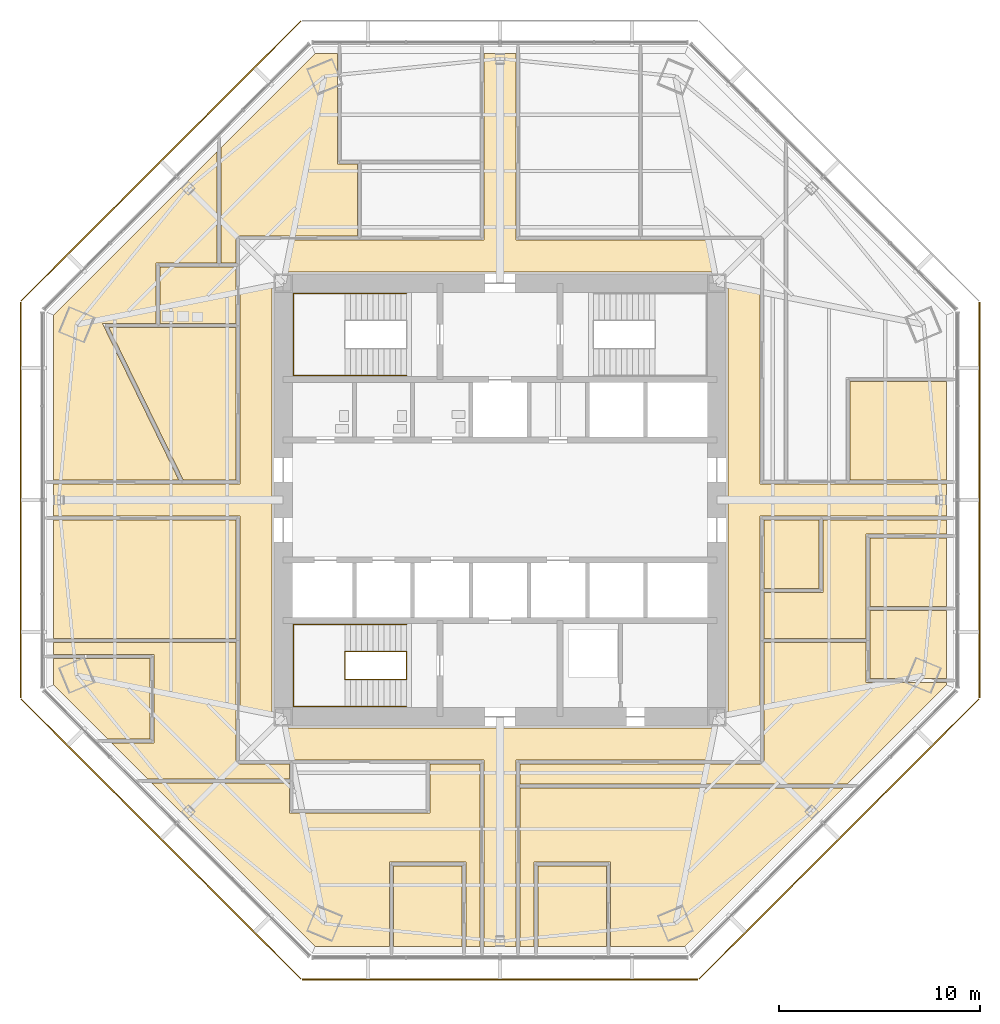
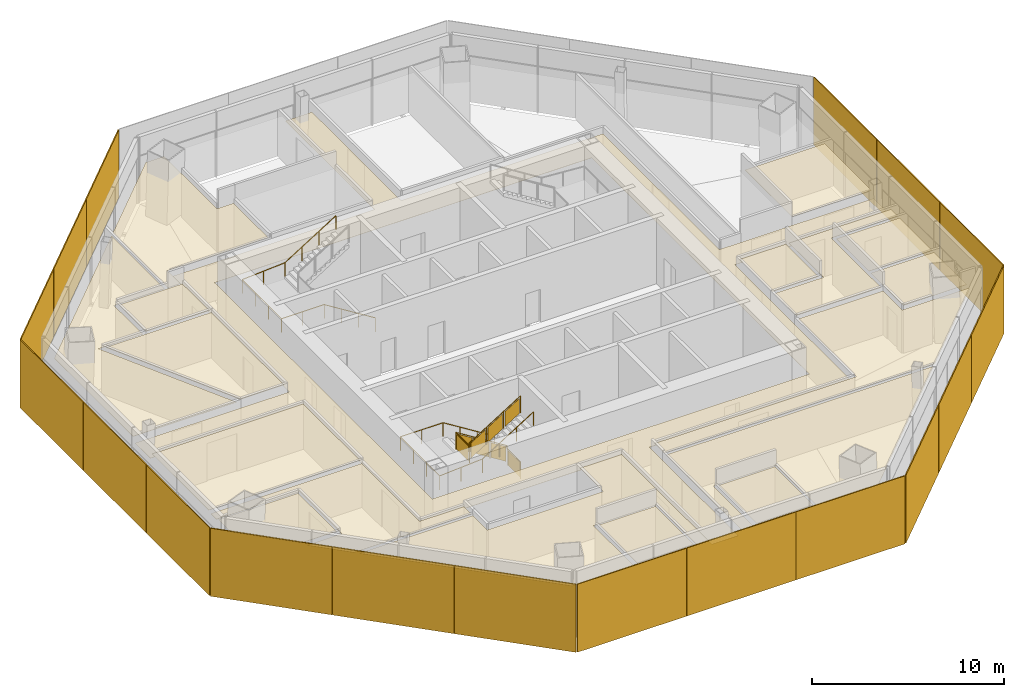
# One storey, part 13 of 15: 18 coverings, 18 shading devices, 3 railings.
"""IFC4 building model written with IfcOpenShell, lengths in metres."""

from ifc_helpers import new_model, si_unit, direction, frame, origin, origin_2d, place, context, subcontext, project, spatial, polyline, rectangle, circle, outline, extrude, source, transform, mapped, material, layer, layer_set, type_object, type_shapes, element, save


model = new_model("IFC4")

# Units and contexts
model_context = context("Model", 3, precision=1e-05, world=origin(), true_north=direction((0.0, 1.0)))
body_context = subcontext(model_context, "Body", "Model", "MODEL_VIEW")
ifc_project = project(units=[si_unit("LENGTHUNIT", "METRE"), si_unit("AREAUNIT", "SQUARE_METRE"), si_unit("VOLUMEUNIT", "CUBIC_METRE"), si_unit("PLANEANGLEUNIT", "RADIAN"), si_unit("MASSUNIT", "GRAM", prefix="KILO")], contexts=[model_context])

# Site, building, storey
site_placement = place(None, origin())
site = spatial("IfcSite", under=ifc_project, at=site_placement, CompositionType="ELEMENT")
building_placement = place(site_placement, origin())
building = spatial("IfcBuilding", under=site, at=building_placement, Name="Mashrafa Tower", CompositionType="ELEMENT")
storey_placement = place(building_placement, frame((0.0, 0.0, 184.800048828125)))
storey = spatial("IfcBuildingStorey", under=building, at=storey_placement, Name="L42", CompositionType="ELEMENT", Elevation=184.800048828125)

# Railings
ifc_material_1 = material(Name="Steel guard with glass infill", Category="steel")
railing_type_1 = type_object("IfcRailingType", Name="Stair guard 1100", PredefinedType="GUARDRAIL", material=ifc_material_1)
railing_1_placement = place(storey_placement, frame((-4.64990234375, -8.949951171875, 0.0)))
element("IfcRailing", 1, at=railing_1_placement, inside=storey, type_object=railing_type_1, Name="Stair S3 guard L42", PredefinedType="GUARDRAIL", context=body_context, shape_type="SweptSolid", body=[
    extrude(circle(Radius=0.02392578125, at=origin_2d()), frame((0.0, 0.0, 1.076171875), z_axis=(0.0, 1.0, 0.0), x_axis=(-1.0, 0.0, 0.0)), (0.0, 0.0, 1.0), 1.39990234375),
    extrude(circle(Radius=0.02392578125, at=origin_2d()), frame((0.0, 1.39990234375, 1.076171875), z_axis=(0.0, 0.0, 1.0), x_axis=(1.0, 0.0, 0.0)), (0.0, 0.0, 1.0), 0.175048828125),
    extrude(circle(Radius=0.02392578125, at=origin_2d()), frame((0.0, 1.39990234375, 1.2509765625), z_axis=(-0.848028513186, 0.0, 0.529950602248), x_axis=(0.0, -1.0, 0.0)), (0.0, 0.0, 1.0), 3.632080078125),
    extrude(circle(Radius=0.02392578125, at=origin_2d()), frame((-3.080078125, 1.39990234375, 3.17578125), z_axis=(0.0, -1.0, 0.0), x_axis=(1.0, 0.0, 0.0)), (0.0, 0.0, 1.0), 1.39990234375),
    extrude(circle(Radius=0.02392578125, at=origin_2d()), frame((-3.080078125, 0.0, 3.17578125), z_axis=(0.0, 0.0, 1.0), x_axis=(1.0, 0.0, 0.0)), (0.0, 0.0, 1.0), 0.175048828125),
    extrude(circle(Radius=0.02392578125, at=origin_2d()), frame((-3.080078125, 0.0, 3.35107421875), z_axis=(0.847998304005, 0.0, 0.529998940003), x_axis=(0.0, 1.0, 0.0)), (0.0, 0.0, 1.0), 3.632080078125),
    extrude(circle(Radius=0.02099609375, at=origin_2d()), origin(), (0.0, 0.0, 1.0), 1.052001953125),
    extrude(circle(Radius=0.02099609375, at=origin_2d()), frame((0.0, 1.39990234375, 0.0)), (0.0, 0.0, 1.0), 1.052001953125),
    extrude(circle(Radius=0.02099609375, at=origin_2d()), frame((0.0, 1.39990234375, 0.175048828125)), (0.0, 0.0, 1.0), 1.052001953125),
    extrude(circle(Radius=0.02099609375, at=origin_2d()), frame((-1.026611328125, 1.39990234375, 0.816650390625)), (0.0, 0.0, 1.0), 1.052001953125),
    extrude(circle(Radius=0.02099609375, at=origin_2d()), frame((-2.053466796875, 1.39990234375, 1.458251953125)), (0.0, 0.0, 1.0), 1.052001953125),
    extrude(circle(Radius=0.02099609375, at=origin_2d()), frame((-3.080078125, 1.39990234375, 2.099853515625)), (0.0, 0.0, 1.0), 1.052001953125),
    extrude(circle(Radius=0.02099609375, at=origin_2d()), frame((-3.080078125, 0.0, 2.099853515625)), (0.0, 0.0, 1.0), 1.052001953125),
    extrude(circle(Radius=0.02099609375, at=origin_2d()), frame((-3.080078125, 0.0, 2.27490234375)), (0.0, 0.0, 1.0), 1.052001953125),
    extrude(circle(Radius=0.02099609375, at=origin_2d()), frame((-2.053466796875, 0.0, 2.91650390625)), (0.0, 0.0, 1.0), 1.052001953125),
    extrude(circle(Radius=0.02099609375, at=origin_2d()), frame((-1.026611328125, 0.0, 3.558349609375)), (0.0, 0.0, 1.0), 1.052001953125),
    extrude(circle(Radius=0.02099609375, at=origin_2d()), frame((0.0, 0.0, 4.199951171875)), (0.0, 0.0, 1.0), 1.052001953125),
    extrude(outline(polyline([(0.071044921875, 0.050048828125), (1.328857421875, 0.050048828125), (1.328857421875, 1.001953125), (0.071044921875, 1.001953125), (0.071044921875, 0.050048828125)])), frame((0.006103515625, 0.0, 0.0), z_axis=(1.0, 0.0, 0.0), x_axis=(0.0, 1.0, 0.0)), (0.0, 0.0, 1.0), 0.011962890625),
    extrude(outline(polyline([(0.071044921875, 0.094482421875), (0.955810546875, 0.647216796875), (0.955810546875, 1.59912109375), (0.071044921875, 1.04638671875), (0.071044921875, 0.094482421875)])), frame((0.0, 1.406005859375, 0.175048828125), z_axis=(0.0, 1.0, 0.0), x_axis=(-1.0, 0.0, 0.0)), (0.0, 0.0, 1.0), 0.011962890625),
    extrude(outline(polyline([(1.09765625, 0.736083984375), (1.982421875, 1.288818359375), (1.982421875, 2.24072265625), (1.09765625, 1.68798828125), (1.09765625, 0.736083984375)])), frame((0.0, 1.406005859375, 0.175048828125), z_axis=(0.0, 1.0, 0.0), x_axis=(-1.0, 0.0, 0.0)), (0.0, 0.0, 1.0), 0.011962890625),
    extrude(outline(polyline([(2.124267578125, 1.377685546875), (3.009033203125, 1.930419921875), (3.009033203125, 2.88232421875), (2.124267578125, 2.32958984375), (2.124267578125, 1.377685546875)])), frame((0.0, 1.406005859375, 0.175048828125), z_axis=(0.0, 1.0, 0.0), x_axis=(-1.0, 0.0, 0.0)), (0.0, 0.0, 1.0), 0.011962890625),
    extrude(outline(polyline([(0.071044921875, 0.050048828125), (1.328857421875, 0.050048828125), (1.328857421875, 1.001953125), (0.071044921875, 1.001953125), (0.071044921875, 0.050048828125)])), frame((-3.086181640625, 1.39990234375, 2.099853515625), z_axis=(-1.0, 0.0, 0.0), x_axis=(0.0, -1.0, 0.0)), (0.0, 0.0, 1.0), 0.011962890625),
    extrude(outline(polyline([(0.071044921875, 0.094482421875), (0.955810546875, 0.647216796875), (0.955810546875, 1.599365234375), (0.071044921875, 1.04638671875), (0.071044921875, 0.094482421875)])), frame((-3.080078125, -0.006103515625, 2.27490234375), z_axis=(0.0, -1.0, 0.0), x_axis=(1.0, 0.0, 0.0)), (0.0, 0.0, 1.0), 0.011962890625),
    extrude(outline(polyline([(1.09765625, 0.736083984375), (1.982421875, 1.2890625), (1.982421875, 2.240966796875), (1.09765625, 1.68798828125), (1.09765625, 0.736083984375)])), frame((-3.080078125, -0.006103515625, 2.27490234375), z_axis=(0.0, -1.0, 0.0), x_axis=(1.0, 0.0, 0.0)), (0.0, 0.0, 1.0), 0.011962890625),
    extrude(outline(polyline([(2.124267578125, 1.377685546875), (3.009033203125, 1.9306640625), (3.009033203125, 2.882568359375), (2.124267578125, 2.329833984375), (2.124267578125, 1.377685546875)])), frame((-3.080078125, -0.006103515625, 2.27490234375), z_axis=(0.0, -1.0, 0.0), x_axis=(1.0, 0.0, 0.0)), (0.0, 0.0, 1.0), 0.011962890625),
])
ifc_material_2 = material(Name="Steel", Category="steel")
railing_type_2 = type_object("IfcRailingType", Name="Stair handrail 900", PredefinedType="HANDRAIL", material=ifc_material_2)
railing_2_placement = place(storey_placement, frame((-4.64990234375, 6.199951171875, 0.175048828125)))
element("IfcRailing", 2, at=railing_2_placement, inside=storey, type_object=railing_type_2, Name="Stair S1 handrail L42", PredefinedType="HANDRAIL", context=body_context, shape_type="SweptSolid", body=[
    extrude(circle(Radius=0.02392578125, at=origin_2d()), frame((0.0, 0.0, 0.8759765625), z_axis=(-0.848028513186, 0.0, 0.529950602248), x_axis=(0.0, -1.0, 0.0)), (0.0, 0.0, 1.0), 3.632080078125),
    extrude(circle(Radius=0.02392578125, at=origin_2d()), frame((-3.080078125, 0.0, 2.80078125), z_axis=(-1.0, 0.0, 0.0), x_axis=(0.0, -1.0, 0.0)), (0.0, 0.0, 1.0), 2.570068359375),
    extrude(circle(Radius=0.02392578125, at=origin_2d()), frame((-5.650146484375, 0.0, 2.80078125), z_axis=(0.0, 1.0, 0.0), x_axis=(-1.0, 0.0, 0.0)), (0.0, 0.0, 1.0), 4.10009765625),
    extrude(circle(Radius=0.02392578125, at=origin_2d()), frame((-5.650146484375, 4.10009765625, 2.80078125), z_axis=(0.997688514158, 0.0, 0.067953136188), x_axis=(0.0, 1.0, 0.0)), (0.0, 0.0, 1.0), 2.575927734375),
    extrude(circle(Radius=0.02392578125, at=origin_2d()), frame((-3.080078125, 4.10009765625, 2.9755859375), z_axis=(0.847998304005, 0.0, 0.529998940003), x_axis=(0.0, 1.0, 0.0)), (0.0, 0.0, 1.0), 3.632080078125),
    extrude(circle(Radius=0.02099609375, at=origin_2d()), origin(), (0.0, 0.0, 1.0), 0.851806640625),
    extrude(circle(Radius=0.02099609375, at=origin_2d()), frame((-1.026611328125, 0.0, 0.6416015625)), (0.0, 0.0, 1.0), 0.851806640625),
    extrude(circle(Radius=0.02099609375, at=origin_2d()), frame((-2.053466796875, 0.0, 1.283203125)), (0.0, 0.0, 1.0), 0.851806640625),
    extrude(circle(Radius=0.02099609375, at=origin_2d()), frame((-3.080078125, 0.0, 1.9248046875)), (0.0, 0.0, 1.0), 0.851806640625),
    extrude(circle(Radius=0.02099609375, at=origin_2d()), frame((-4.365234375, 0.0, 1.9248046875)), (0.0, 0.0, 1.0), 0.851806640625),
    extrude(circle(Radius=0.02099609375, at=origin_2d()), frame((-5.650146484375, 0.0, 1.9248046875)), (0.0, 0.0, 1.0), 0.851806640625),
    extrude(circle(Radius=0.02099609375, at=origin_2d()), frame((-5.650146484375, 1.36669921875, 1.9248046875)), (0.0, 0.0, 1.0), 0.851806640625),
    extrude(circle(Radius=0.02099609375, at=origin_2d()), frame((-5.650146484375, 2.7333984375, 1.9248046875)), (0.0, 0.0, 1.0), 0.851806640625),
    extrude(circle(Radius=0.02099609375, at=origin_2d()), frame((-5.650146484375, 4.10009765625, 1.9248046875)), (0.0, 0.0, 1.0), 0.851806640625),
    extrude(circle(Radius=0.02099609375, at=origin_2d()), frame((-4.365234375, 4.10009765625, 2.01220703125)), (0.0, 0.0, 1.0), 0.851806640625),
    extrude(circle(Radius=0.02099609375, at=origin_2d()), frame((-3.080078125, 4.10009765625, 2.099853515625)), (0.0, 0.0, 1.0), 0.851806640625),
    extrude(circle(Radius=0.02099609375, at=origin_2d()), frame((-2.053466796875, 4.10009765625, 2.741455078125)), (0.0, 0.0, 1.0), 0.851806640625),
    extrude(circle(Radius=0.02099609375, at=origin_2d()), frame((-1.026611328125, 4.10009765625, 3.38330078125)), (0.0, 0.0, 1.0), 0.851806640625),
    extrude(circle(Radius=0.02099609375, at=origin_2d()), frame((0.0, 4.10009765625, 4.02490234375)), (0.0, 0.0, 1.0), 0.851806640625),
])
railing_3_placement = place(storey_placement, frame((-4.64990234375, -6.199951171875, 0.175048828125)))
element("IfcRailing", 3, at=railing_3_placement, inside=storey, type_object=railing_type_2, Name="Stair S3 handrail L42", PredefinedType="HANDRAIL", context=body_context, shape_type="SweptSolid", body=[
    extrude(circle(Radius=0.02392578125, at=origin_2d()), frame((0.0, 0.0, 0.8759765625), z_axis=(-0.848028513186, 0.0, 0.529950602248), x_axis=(0.0, -1.0, 0.0)), (0.0, 0.0, 1.0), 3.632080078125),
    extrude(circle(Radius=0.02392578125, at=origin_2d()), frame((-3.080078125, 0.0, 2.80078125), z_axis=(-1.0, 0.0, 0.0), x_axis=(0.0, -1.0, 0.0)), (0.0, 0.0, 1.0), 2.570068359375),
    extrude(circle(Radius=0.02392578125, at=origin_2d()), frame((-5.650146484375, 0.0, 2.80078125), z_axis=(0.0, -1.0, 0.0), x_axis=(1.0, 0.0, 0.0)), (0.0, 0.0, 1.0), 4.10009765625),
    extrude(circle(Radius=0.02392578125, at=origin_2d()), frame((-5.650146484375, -4.10009765625, 2.80078125), z_axis=(0.997688514158, 0.0, 0.067953136188), x_axis=(0.0, 1.0, 0.0)), (0.0, 0.0, 1.0), 2.575927734375),
    extrude(circle(Radius=0.02392578125, at=origin_2d()), frame((-3.080078125, -4.10009765625, 2.9755859375), z_axis=(0.847998304005, 0.0, 0.529998940003), x_axis=(0.0, 1.0, 0.0)), (0.0, 0.0, 1.0), 3.632080078125),
    extrude(circle(Radius=0.02099609375, at=origin_2d()), origin(), (0.0, 0.0, 1.0), 0.851806640625),
    extrude(circle(Radius=0.02099609375, at=origin_2d()), frame((-1.026611328125, 0.0, 0.6416015625)), (0.0, 0.0, 1.0), 0.851806640625),
    extrude(circle(Radius=0.02099609375, at=origin_2d()), frame((-2.053466796875, 0.0, 1.283203125)), (0.0, 0.0, 1.0), 0.851806640625),
    extrude(circle(Radius=0.02099609375, at=origin_2d()), frame((-3.080078125, 0.0, 1.9248046875)), (0.0, 0.0, 1.0), 0.851806640625),
    extrude(circle(Radius=0.02099609375, at=origin_2d()), frame((-4.365234375, 0.0, 1.9248046875)), (0.0, 0.0, 1.0), 0.851806640625),
    extrude(circle(Radius=0.02099609375, at=origin_2d()), frame((-5.650146484375, 0.0, 1.9248046875)), (0.0, 0.0, 1.0), 0.851806640625),
    extrude(circle(Radius=0.02099609375, at=origin_2d()), frame((-5.650146484375, -1.36669921875, 1.9248046875)), (0.0, 0.0, 1.0), 0.851806640625),
    extrude(circle(Radius=0.02099609375, at=origin_2d()), frame((-5.650146484375, -2.7333984375, 1.9248046875)), (0.0, 0.0, 1.0), 0.851806640625),
    extrude(circle(Radius=0.02099609375, at=origin_2d()), frame((-5.650146484375, -4.10009765625, 1.9248046875)), (0.0, 0.0, 1.0), 0.851806640625),
    extrude(circle(Radius=0.02099609375, at=origin_2d()), frame((-4.365234375, -4.10009765625, 2.01220703125)), (0.0, 0.0, 1.0), 0.851806640625),
    extrude(circle(Radius=0.02099609375, at=origin_2d()), frame((-3.080078125, -4.10009765625, 2.099853515625)), (0.0, 0.0, 1.0), 0.851806640625),
    extrude(circle(Radius=0.02099609375, at=origin_2d()), frame((-2.053466796875, -4.10009765625, 2.741455078125)), (0.0, 0.0, 1.0), 0.851806640625),
    extrude(circle(Radius=0.02099609375, at=origin_2d()), frame((-1.026611328125, -4.10009765625, 3.38330078125)), (0.0, 0.0, 1.0), 0.851806640625),
    extrude(circle(Radius=0.02099609375, at=origin_2d()), frame((0.0, -4.10009765625, 4.02490234375)), (0.0, 0.0, 1.0), 0.851806640625),
])

# Coverings
ifc_material_3 = material(Name="Mineral fibre tile on suspension grid")
ifc_layer_1 = layer(ifc_material_3, 0.014892578125)
ifc_layer_set_1 = layer_set([ifc_layer_1], Name="Suspended ceiling mineral tile 15")
covering_type = type_object("IfcCoveringType", Name="Suspended ceiling mineral tile 15", PredefinedType="CEILING", material=ifc_layer_set_1)
covering_1_placement = place(storey_placement, frame((0.0, 0.0, 2.5)))
element("IfcCovering", 4, at=covering_1_placement, inside=storey, type_object=covering_type, Name="Ceiling Office Corridor L42", PredefinedType="CEILING", context=body_context, shape_type="SweptSolid", body=[
    extrude(outline(polyline([(-12.949951171875, -12.949951171875), (-12.949951171875, -0.800048828125), (-22.237060546875, -0.800048828125), (-22.237060546875, 0.800048828125), (-12.949951171875, 0.800048828125), (-12.949951171875, 12.949951171875), (-0.800048828125, 12.949951171875), (-0.800048828125, 22.237060546875), (0.800048828125, 22.237060546875), (0.800048828125, 12.949951171875), (12.949951171875, 12.949951171875), (12.949951171875, 0.800048828125), (22.237060546875, 0.800048828125), (22.237060546875, -0.800048828125), (12.949951171875, -0.800048828125), (12.949951171875, -12.949951171875), (0.800048828125, -12.949951171875), (0.800048828125, -22.237060546875), (-0.800048828125, -22.237060546875), (-0.800048828125, -12.949951171875), (-12.949951171875, -12.949951171875)]), holes=[polyline([(11.35009765625, 11.35009765625), (-11.35009765625, 11.35009765625), (-11.35009765625, -11.35009765625), (11.35009765625, -11.35009765625), (11.35009765625, 11.35009765625)])]), origin(), (0.0, 0.0, 1.0), 0.014892578125),
])
covering_2_placement = place(storey_placement, frame((0.0, 0.0, 2.89990234375)))
element("IfcCovering", 5, at=covering_2_placement, inside=storey, type_object=covering_type, Name="Ceiling Musallah Prayer Room 42", PredefinedType="CEILING", context=body_context, shape_type="SweptSolid", body=[
    extrude(outline(polyline([(-15.783203125, 1.0), (-19.489990234375, 8.60009765625), (-13.14990234375, 8.60009765625), (-13.14990234375, 1.0), (-15.783203125, 1.0)])), origin(), (0.0, 0.0, 1.0), 0.01513671875),
])
covering_3_placement = place(storey_placement, frame((0.0, 0.0, 2.89990234375)))
element("IfcCovering", 6, at=covering_3_placement, inside=storey, type_object=covering_type, Name="Ceiling Ablution Room L42", PredefinedType="CEILING", context=body_context, shape_type="SweptSolid", body=[
    extrude(outline(polyline([(-16.949951171875, 8.800048828125), (-16.949951171875, 11.60009765625), (-13.14990234375, 11.60009765625), (-13.14990234375, 8.800048828125), (-16.949951171875, 8.800048828125)])), origin(), (0.0, 0.0, 1.0), 0.01513671875),
])
covering_4_placement = place(storey_placement, frame((0.0, 0.0, 2.89990234375)))
element("IfcCovering", 7, at=covering_4_placement, inside=storey, type_object=covering_type, Name="Ceiling Guest Majlis 42", PredefinedType="CEILING", context=body_context, shape_type="SweptSolid", body=[
    extrude(outline(polyline([(17.43701171875, 5.89990234375), (22.237060546875, 5.89990234375), (22.237060546875, 1.0), (17.43701171875, 1.0), (17.43701171875, 5.89990234375)])), origin(), (0.0, 0.0, 1.0), 0.01513671875),
])
covering_5_placement = place(storey_placement, frame((0.0, 0.0, 2.89990234375)))
element("IfcCovering", 8, at=covering_5_placement, inside=storey, type_object=covering_type, Name="Ceiling Executive Dining Room 42-SW2", PredefinedType="CEILING", context=body_context, shape_type="SweptSolid", body=[
    extrude(outline(polyline([(-17.43701171875, -7.89990234375), (-17.43701171875, -11.89990234375), (-19.5478515625, -11.89990234375), (-22.237060546875, -9.2109375), (-22.237060546875, -7.89990234375), (-17.43701171875, -7.89990234375)])), origin(), (0.0, 0.0, 1.0), 0.01513671875),
])
covering_6_placement = place(storey_placement, frame((0.0, 0.0, 2.89990234375)))
element("IfcCovering", 9, at=covering_6_placement, inside=storey, type_object=covering_type, Name="Ceiling Executive Reception 42", PredefinedType="CEILING", context=body_context, shape_type="SweptSolid", body=[
    extrude(outline(polyline([(13.14990234375, -1.0), (15.89990234375, -1.0), (15.89990234375, -4.39990234375), (13.14990234375, -4.39990234375), (13.14990234375, -1.0)])), origin(), (0.0, 0.0, 1.0), 0.01513671875),
])
covering_7_placement = place(storey_placement, frame((0.0, 0.0, 2.89990234375)))
element("IfcCovering", 10, at=covering_7_placement, inside=storey, type_object=covering_type, Name="Ceiling Executive Office 42-SE2", PredefinedType="CEILING", context=body_context, shape_type="SweptSolid", body=[
    extrude(outline(polyline([(18.43701171875, -5.5), (22.237060546875, -5.5), (22.237060546875, -8.89990234375), (18.43701171875, -8.89990234375), (18.43701171875, -5.5)])), origin(), (0.0, 0.0, 1.0), 0.01513671875),
])
covering_8_placement = place(storey_placement, frame((0.0, 0.0, 2.89990234375)))
element("IfcCovering", 11, at=covering_8_placement, inside=storey, type_object=covering_type, Name="Ceiling Executive Office 42-SE1", PredefinedType="CEILING", context=body_context, shape_type="SweptSolid", body=[
    extrude(outline(polyline([(18.43701171875, -1.89990234375), (22.237060546875, -1.89990234375), (22.237060546875, -5.300048828125), (18.43701171875, -5.300048828125), (18.43701171875, -1.89990234375)])), origin(), (0.0, 0.0, 1.0), 0.01513671875),
])
covering_9_placement = place(storey_placement, frame((0.0, 0.0, 2.89990234375)))
element("IfcCovering", 12, at=covering_9_placement, inside=storey, type_object=covering_type, Name="Ceiling Executive Office 42-SW3", PredefinedType="CEILING", context=body_context, shape_type="SweptSolid", body=[
    extrude(outline(polyline([(-5.300048828125, -18.237060546875), (-1.89990234375, -18.237060546875), (-1.89990234375, -22.237060546875), (-5.300048828125, -22.237060546875), (-5.300048828125, -18.237060546875)])), origin(), (0.0, 0.0, 1.0), 0.01513671875),
])
covering_10_placement = place(storey_placement, frame((0.0, 0.0, 2.89990234375)))
element("IfcCovering", 13, at=covering_10_placement, inside=storey, type_object=covering_type, Name="Ceiling Executive Office 42-SE3", PredefinedType="CEILING", context=body_context, shape_type="SweptSolid", body=[
    extrude(outline(polyline([(1.89990234375, -18.237060546875), (5.300048828125, -18.237060546875), (5.300048828125, -22.237060546875), (1.89990234375, -22.237060546875), (1.89990234375, -18.237060546875)])), origin(), (0.0, 0.0, 1.0), 0.01513671875),
])
covering_11_placement = place(storey_placement, frame((0.0, 0.0, 2.800048828125)))
element("IfcCovering", 14, at=covering_11_placement, inside=storey, type_object=covering_type, Name="Ceiling Board Secretariat Office 42-NW3", PredefinedType="CEILING", context=body_context, shape_type="SweptSolid", body=[
    extrude(outline(polyline([(-22.237060546875, 1.0), (-22.237060546875, 9.2109375), (-14.10009765625, 17.347900390625), (-14.10009765625, 11.800048828125), (-17.14990234375, 11.800048828125), (-17.14990234375, 8.800048828125), (-19.81005859375, 8.800048828125), (-16.005615234375, 1.0), (-22.237060546875, 1.0)])), origin(), (0.0, 0.0, 1.0), 0.014892578125),
])
covering_12_placement = place(storey_placement, frame((0.0, 0.0, 2.800048828125)))
element("IfcCovering", 15, at=covering_12_placement, inside=storey, type_object=covering_type, Name="Ceiling Corporate Affairs Office 42-NW2", PredefinedType="CEILING", context=body_context, shape_type="SweptSolid", body=[
    extrude(outline(polyline([(-13.89990234375, 11.800048828125), (-13.89990234375, 17.5478515625), (-9.2109375, 22.237060546875), (-8.10009765625, 22.237060546875), (-8.10009765625, 16.737060546875), (-7.10009765625, 16.737060546875), (-7.10009765625, 13.14990234375), (-13.14990234375, 13.14990234375), (-13.14990234375, 11.800048828125), (-13.89990234375, 11.800048828125)])), origin(), (0.0, 0.0, 1.0), 0.014892578125),
])
covering_13_placement = place(storey_placement, frame((0.0, 0.0, 2.800048828125)))
element("IfcCovering", 16, at=covering_13_placement, inside=storey, type_object=covering_type, Name="Ceiling Board Secretariat Office 42-SW3", PredefinedType="CEILING", context=body_context, shape_type="SweptSolid", body=[
    extrude(outline(polyline([(-1.0, -22.237060546875), (-1.699951171875, -22.237060546875), (-1.699951171875, -18.037109375), (-5.5, -18.037109375), (-5.5, -22.237060546875), (-9.2109375, -22.237060546875), (-17.347900390625, -14.10009765625), (-10.5, -14.10009765625), (-10.5, -15.60009765625), (-3.5, -15.60009765625), (-3.5, -13.14990234375), (-1.0, -13.14990234375), (-1.0, -22.237060546875)])), origin(), (0.0, 0.0, 1.0), 0.014892578125),
])
covering_14_placement = place(storey_placement, frame((0.0, 0.0, 2.800048828125)))
element("IfcCovering", 17, at=covering_14_placement, inside=storey, type_object=covering_type, Name="Ceiling Corporate Affairs Office 42-SW2", PredefinedType="CEILING", context=body_context, shape_type="SweptSolid", body=[
    extrude(outline(polyline([(-10.5, -13.89990234375), (-17.5478515625, -13.89990234375), (-19.347900390625, -12.10009765625), (-17.237060546875, -12.10009765625), (-17.237060546875, -7.699951171875), (-22.237060546875, -7.699951171875), (-22.237060546875, -7.10009765625), (-13.14990234375, -7.10009765625), (-13.14990234375, -13.14990234375), (-10.5, -13.14990234375), (-10.5, -13.89990234375)])), origin(), (0.0, 0.0, 1.0), 0.014892578125),
])
covering_15_placement = place(storey_placement, frame((0.0, 0.0, 2.89990234375)))
element("IfcCovering", 18, at=covering_15_placement, inside=storey, type_object=covering_type, Name="Ceiling General Counsel's Office 42-SW1", PredefinedType="CEILING", context=body_context, shape_type="SweptSolid", body=[
    extrude(outline(polyline([(-22.237060546875, -6.89990234375), (-22.237060546875, -1.0), (-13.14990234375, -1.0), (-13.14990234375, -6.89990234375), (-22.237060546875, -6.89990234375)])), origin(), (0.0, 0.0, 1.0), 0.01513671875),
])
covering_16_placement = place(storey_placement, frame((0.0, 0.0, 2.800048828125)))
element("IfcCovering", 19, at=covering_16_placement, inside=storey, type_object=covering_type, Name="Ceiling Board Secretariat Office 42-SE3", PredefinedType="CEILING", context=body_context, shape_type="SweptSolid", body=[
    extrude(outline(polyline([(1.0, -14.35009765625), (17.097900390625, -14.35009765625), (9.2109375, -22.237060546875), (5.5, -22.237060546875), (5.5, -18.037109375), (1.699951171875, -18.037109375), (1.699951171875, -22.237060546875), (1.0, -22.237060546875), (1.0, -14.35009765625)])), origin(), (0.0, 0.0, 1.0), 0.014892578125),
])
covering_17_placement = place(storey_placement, frame((0.0, 0.0, 2.800048828125)))
element("IfcCovering", 20, at=covering_17_placement, inside=storey, type_object=covering_type, Name="Ceiling Corporate Affairs Office 42-SE2", PredefinedType="CEILING", context=body_context, shape_type="SweptSolid", body=[
    extrude(outline(polyline([(13.14990234375, -7.10009765625), (18.237060546875, -7.10009765625), (18.237060546875, -9.10009765625), (22.237060546875, -9.10009765625), (22.237060546875, -9.2109375), (17.2978515625, -14.14990234375), (1.0, -14.14990234375), (1.0, -13.14990234375), (13.14990234375, -13.14990234375), (13.14990234375, -7.10009765625)])), origin(), (0.0, 0.0, 1.0), 0.014892578125),
])
covering_18_placement = place(storey_placement, frame((0.0, 0.0, 2.89990234375)))
element("IfcCovering", 21, at=covering_18_placement, inside=storey, type_object=covering_type, Name="Ceiling General Counsel's Office 42-SE1", PredefinedType="CEILING", context=body_context, shape_type="SweptSolid", body=[
    extrude(outline(polyline([(22.237060546875, -1.0), (22.237060546875, -1.699951171875), (18.237060546875, -1.699951171875), (18.237060546875, -6.89990234375), (13.14990234375, -6.89990234375), (13.14990234375, -4.60009765625), (16.10009765625, -4.60009765625), (16.10009765625, -1.0), (22.237060546875, -1.0)])), origin(), (0.0, 0.0, 1.0), 0.01513671875),
])

# Shading devices
ifc_material_4 = material(Name="Perforated aluminium plate, eight-point star pattern", Category="aluminium")
ifc_layer_2 = layer(ifc_material_4, 0.06005859375)
ifc_layer_set_2 = layer_set([ifc_layer_2], Name="Mashrabiya screen panel office zone 2, 40 percent open")
shading_device_type = type_object("IfcShadingDeviceType", Name="Mashrabiya screen panel office zone 2, 40 percent open", PredefinedType="SHUTTER", material=ifc_layer_set_2)
shared_shape = source(origin(), body_context, "Body", "SweptSolid", [
    extrude(rectangle(XDim=6.561279296875, YDim=0.06005859375, at=origin_2d()), origin(), (0.0, 0.0, 1.0), 4.330078125),
])
type_shapes(shading_device_type, [shared_shape])
for number, where, z_axis, x_axis, name in (
    (22, (23.886962890625, -6.581298828125, -0.150146484375), (0.0, 0.0, 1.0), (0.0, 1.0, 0.0), "Mashrabiya screen L42 east 1"),
    (23, (23.886962890625, 0.0, -0.150146484375), (0.0, 0.0, 1.0), (0.0, 1.0, 0.0), "Mashrabiya screen L42 east 2"),
    (24, (23.886962890625, 6.581298828125, -0.150146484375), (0.0, 0.0, 1.0), (0.0, 1.0, 0.0), "Mashrabiya screen L42 east 3"),
    (25, (-12.237060546875, 21.544189453125, -0.150146484375), (0.0, 0.0, 1.0), (-0.707106781187, -0.707106781187, 0.0), "Mashrabiya screen L42 north-west 1"),
    (26, (-16.890625, 16.890625, -0.150146484375), (0.0, 0.0, 1.0), (-0.707106781187, -0.707106781187, 0.0), "Mashrabiya screen L42 north-west 2"),
    (27, (-21.544189453125, 12.237060546875, -0.150146484375), (0.0, 0.0, 1.0), (-0.707106781187, -0.707106781187, 0.0), "Mashrabiya screen L42 north-west 3"),
    (28, (-23.886962890625, 6.581298828125, -0.150146484375), (0.0, 0.0, 1.0), (0.0, -1.0, 0.0), "Mashrabiya screen L42 west 1"),
    (29, (-23.886962890625, 0.0, -0.150146484375), (0.0, 0.0, 1.0), (0.0, -1.0, 0.0), "Mashrabiya screen L42 west 2"),
    (30, (-23.886962890625, -6.581298828125, -0.150146484375), (0.0, 0.0, 1.0), (0.0, -1.0, 0.0), "Mashrabiya screen L42 west 3"),
    (31, (-21.544189453125, -12.237060546875, -0.150146484375), (0.0, 0.0, 1.0), (0.707106781187, -0.707106781187, 0.0), "Mashrabiya screen L42 south-west 1"),
    (32, (-16.890625, -16.890625, -0.150146484375), (0.0, 0.0, 1.0), (0.707106781187, -0.707106781187, 0.0), "Mashrabiya screen L42 south-west 2"),
    (33, (-12.237060546875, -21.544189453125, -0.150146484375), (0.0, 0.0, 1.0), (0.707106781187, -0.707106781187, 0.0), "Mashrabiya screen L42 south-west 3"),
    (34, (-6.581298828125, -23.886962890625, -0.150146484375), (0.0, 0.0, 1.0), (1.0, 0.0, 0.0), "Mashrabiya screen L42 south 1"),
    (35, (0.0, -23.886962890625, -0.150146484375), (0.0, 0.0, 1.0), (1.0, 0.0, 0.0), "Mashrabiya screen L42 south 2"),
    (36, (6.581298828125, -23.886962890625, -0.150146484375), (0.0, 0.0, 1.0), (1.0, 0.0, 0.0), "Mashrabiya screen L42 south 3"),
    (37, (12.237060546875, -21.544189453125, -0.150146484375), (0.0, 0.0, 1.0), (0.707106781187, 0.707106781187, 0.0), "Mashrabiya screen L42 south-east 1"),
    (38, (16.890625, -16.890625, -0.150146484375), (0.0, 0.0, 1.0), (0.707106781187, 0.707106781187, 0.0), "Mashrabiya screen L42 south-east 2"),
    (39, (21.544189453125, -12.237060546875, -0.150146484375), (0.0, 0.0, 1.0), (0.707106781187, 0.707106781187, 0.0), "Mashrabiya screen L42 south-east 3"),
):
    element("IfcShadingDevice", number, at=place(storey_placement, frame(where, z_axis=z_axis, x_axis=x_axis)), inside=storey, type_object=shading_device_type, Name=name, PredefinedType="SHUTTER", context=body_context, shape_type="MappedRepresentation", body=[
        mapped(shared_shape, transform((0.0, 0.0, 0.0))),
    ])

save(model, "model.ifc")
